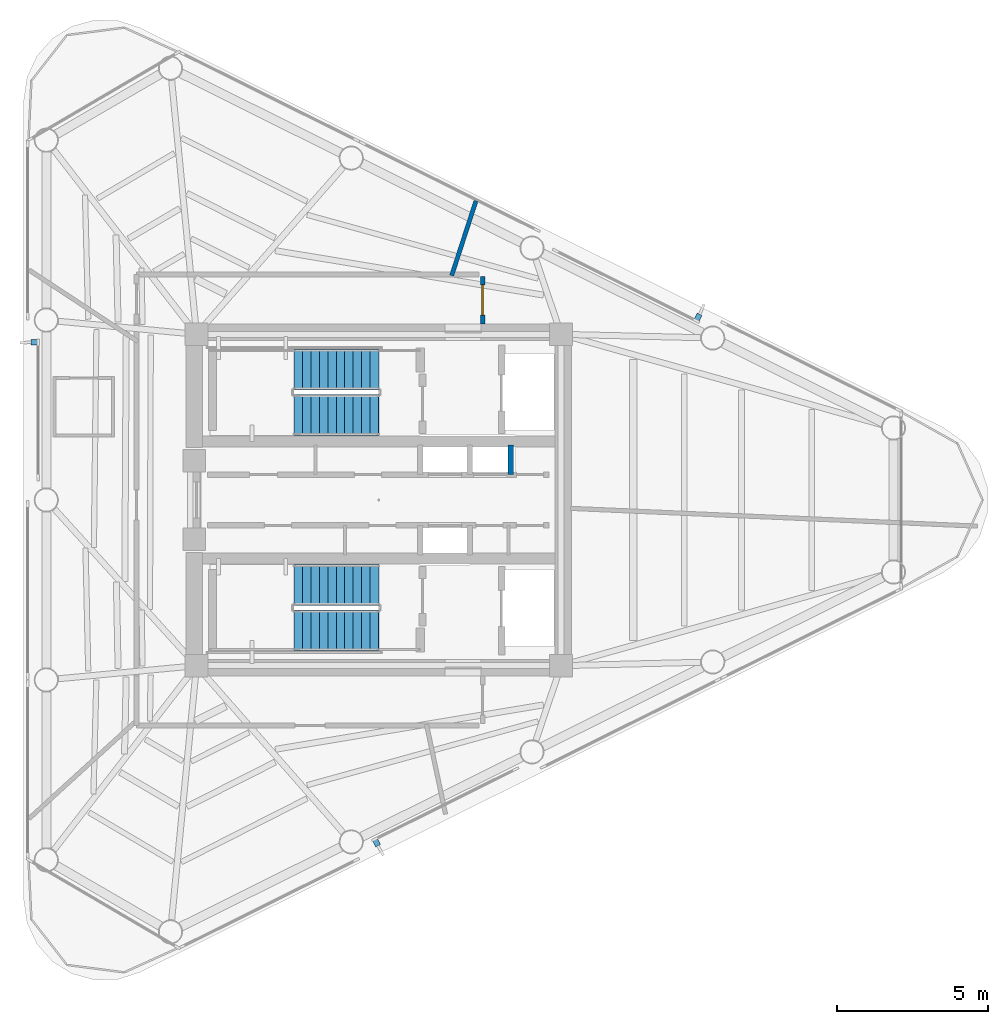
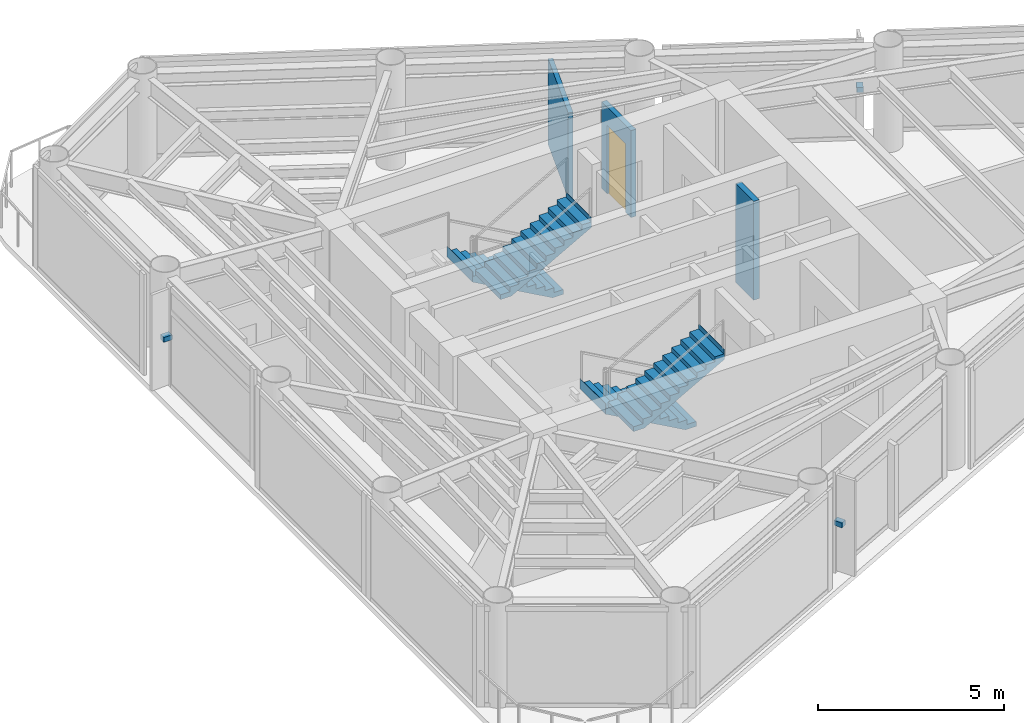
# One storey, part 6 of 10: 4 stair flights, 3 discrete accessories, 3 walls, 1 door, 1 opening, 2 elements without a shape of their own.
"""IFC4 building model written with IfcOpenShell, lengths in metres."""

import ifcopenshell
import ifcopenshell.guid

model = None  # the IFC model being written
_history = None  # IfcOwnerHistory: only IFC2X3 demands one
_inside = {}  # id of a spatial element -> (the spatial element, [elements in it])
_under = {}  # id of a project, library or spatial element -> (it, [spatial elements below it])
_declared = {}  # id of a project -> (the project, [libraries it declares])
_typed = {}  # id of a type object -> (the type object, [elements of that type])
_made_of = {}  # id of a material, layer set ... -> (it, [elements and type objects made of it])


def new_model(schema):
    """Start an empty IFC model of exactly this schema.

    Asked for "IFC4X3", IfcOpenShell would pick the latest addendum, in which some entities
    have other attributes; the version numbers below select the first issue.
    IFC2X3 requires an IfcOwnerHistory on every rooted entity: one is made here for all.
    """
    global model, _history
    if schema == "IFC4X3":
        model = ifcopenshell.file(schema_version=(4, 3, 0, 0))
    else:
        model = ifcopenshell.file(schema=schema)
    _inside.clear()
    _under.clear()
    _declared.clear()
    _typed.clear()
    _made_of.clear()
    _history = None
    if model.schema == "IFC2X3":
        org = make("IfcOrganization", Name="unknown")
        user = make(
            "IfcPersonAndOrganization",
            ThePerson=make("IfcPerson", FamilyName="unknown"),
            TheOrganization=org,
        )
        app = make(
            "IfcApplication",
            ApplicationDeveloper=org,
            Version="unknown",
            ApplicationFullName="unknown",
            ApplicationIdentifier="unknown",
        )
        _history = make(
            "IfcOwnerHistory",
            OwningUser=user,
            OwningApplication=app,
            ChangeAction="ADDED",
            CreationDate=0,
        )
    return model


def make(cls, **values):
    """One entity of the class cls with the attributes given. An attribute that is None is left unset."""
    return model.create_entity(
        cls, **{name: value for name, value in values.items() if value is not None}
    )


def rooted(cls, **values):
    """An entity with a GlobalId (a new one), such as an element, a storey or a relation."""
    return make(cls, GlobalId=ifcopenshell.guid.new(), OwnerHistory=_history, **values)


def si_unit(unit_type, name, prefix=None):
    """IfcSIUnit, for example si_unit("LENGTHUNIT", "METRE", prefix="MILLI")."""
    return make("IfcSIUnit", UnitType=unit_type, Prefix=prefix, Name=name)


def assignment(units):
    """IfcUnitAssignment: the units of a project."""
    return None if units is None else make("IfcUnitAssignment", Units=units)


def point(xyz):
    """IfcCartesianPoint."""
    return None if xyz is None else make("IfcCartesianPoint", Coordinates=xyz)


def direction(xyz):
    """IfcDirection."""
    return None if xyz is None else make("IfcDirection", DirectionRatios=xyz)


def frame(location, z_axis=None, x_axis=None):
    """IfcAxis2Placement3D, a coordinate frame: its origin and axes. An axis left out is left unset."""
    return make(
        "IfcAxis2Placement3D",
        Location=point(location),
        Axis=direction(z_axis),
        RefDirection=direction(x_axis),
    )


def frame_2d(location, x_axis=None):
    """IfcAxis2Placement2D, a coordinate frame in the plane: its origin and x axis."""
    return make(
        "IfcAxis2Placement2D", Location=point(location), RefDirection=direction(x_axis)
    )


def origin():
    """The frame at (0, 0, 0) with its axes left unset."""
    return frame((0.0, 0.0, 0.0))


def origin_2d():
    """The frame at (0, 0) in the plane with its x axis left unset."""
    return frame_2d((0.0, 0.0))


def place(relative_to, where):
    """IfcLocalPlacement: puts the frame where relative to a parent placement (None: the world)."""
    return make(
        "IfcLocalPlacement", PlacementRelTo=relative_to, RelativePlacement=where
    )


def context(
    kind, dimensions, precision=None, world=None, true_north=None, identifier=None
):
    """IfcGeometricRepresentationContext, for example the 3D "Model" context."""
    return make(
        "IfcGeometricRepresentationContext",
        ContextIdentifier=identifier,
        ContextType=kind,
        CoordinateSpaceDimension=dimensions,
        Precision=precision,
        WorldCoordinateSystem=world,
        TrueNorth=true_north,
    )


def subcontext(parent, identifier, kind, view, scale=None):
    """IfcGeometricRepresentationSubContext, for example "Body" below "Model"."""
    return make(
        "IfcGeometricRepresentationSubContext",
        ContextIdentifier=identifier,
        ContextType=kind,
        ParentContext=parent,
        TargetScale=scale,
        TargetView=view,
    )


def project(units=None, contexts=None):
    """IfcProject with its units and contexts."""
    return rooted(
        "IfcProject",
        Name="project",
        RepresentationContexts=contexts,
        UnitsInContext=assignment(units),
    )


def spatial(cls, under=None, at=None, **own):
    """A site, building, storey or space (cls), placed at a placement, below another one or the project."""
    s = rooted(cls, ObjectPlacement=at, **own)
    if under is not None:
        _under.setdefault(under.id(), (under, []))[1].append(s)
    return s


def polyline(points):
    """IfcPolyline through the points."""
    return make("IfcPolyline", Points=[point(p) for p in points])


def profile(cls, at=None, kind="AREA", **sizes):
    """A parametric profile (cls). Its sizes go by their IFC names, for example OverallWidth=200.0."""
    return make(cls, ProfileType=kind, Position=at, **sizes)


def rectangle(**sizes):
    """IfcRectangleProfileDef."""
    return profile("IfcRectangleProfileDef", **sizes)


def outline(outer, holes=None, kind="AREA"):
    """IfcArbitraryClosedProfileDef: a profile drawn as a closed curve; with holes, ...WithVoids."""
    if holes is None:
        return make("IfcArbitraryClosedProfileDef", ProfileType=kind, OuterCurve=outer)
    return make(
        "IfcArbitraryProfileDefWithVoids",
        ProfileType=kind,
        OuterCurve=outer,
        InnerCurves=holes,
    )


def extrude(swept, where, along, depth):
    """IfcExtrudedAreaSolid: the profile swept, set in the frame where, extruded along a direction by depth."""
    return make(
        "IfcExtrudedAreaSolid",
        SweptArea=swept,
        Position=where,
        ExtrudedDirection=direction(along),
        Depth=depth,
    )


def shape(context_of_items, identifier, shape_type, items):
    """IfcShapeRepresentation: the items that make up one representation, for example the "Body"."""
    return make(
        "IfcShapeRepresentation",
        ContextOfItems=context_of_items,
        RepresentationIdentifier=identifier,
        RepresentationType=shape_type,
        Items=items,
    )


def source(mapping_origin, context_of_items, identifier, shape_type, items):
    """IfcRepresentationMap: a shape defined once, which mapped items show again and again."""
    return make(
        "IfcRepresentationMap",
        MappingOrigin=mapping_origin,
        MappedRepresentation=shape(context_of_items, identifier, shape_type, items),
    )


def transform(
    local_origin,
    x_axis=None,
    y_axis=None,
    z_axis=None,
    scale=None,
    scale2=None,
    scale3=None,
    uniform=True,
):
    """IfcCartesianTransformationOperator3D, or its non-uniform kind. x_axis, y_axis, z_axis: its Axis1, 2, 3."""
    if uniform:
        return make(
            "IfcCartesianTransformationOperator3D",
            Axis1=direction(x_axis),
            Axis2=direction(y_axis),
            LocalOrigin=point(local_origin),
            Scale=scale,
            Axis3=direction(z_axis),
        )
    return make(
        "IfcCartesianTransformationOperator3DnonUniform",
        Axis1=direction(x_axis),
        Axis2=direction(y_axis),
        LocalOrigin=point(local_origin),
        Scale=scale,
        Axis3=direction(z_axis),
        Scale2=scale2,
        Scale3=scale3,
    )


def mapped(mapping_source, mapping_target):
    """IfcMappedItem: shows the shape of a source again, moved by a transform."""
    return make(
        "IfcMappedItem", MappingSource=mapping_source, MappingTarget=mapping_target
    )


def material(Name=None, Category=None):
    """IfcMaterial."""
    return make("IfcMaterial", Name=Name, Category=Category)


def layer(
    of_material, thickness, ventilated=None, Name=None, Category=None, Priority=None
):
    """IfcMaterialLayer: one layer of a wall or slab, of a material (None: an air gap)."""
    return make(
        "IfcMaterialLayer",
        Material=of_material,
        LayerThickness=thickness,
        IsVentilated=ventilated,
        Name=Name,
        Category=Category,
        Priority=Priority,
    )


def layer_set(layers, Name=None):
    """IfcMaterialLayerSet."""
    return make("IfcMaterialLayerSet", MaterialLayers=layers, LayerSetName=Name)


def made_of(thing, what):
    """Note that an element or type object is made of a material, layer set ...; save() writes the relation."""
    if what is not None:
        _made_of.setdefault(what.id(), (what, []))[1].append(thing)
    return thing


def type_object(cls, material=None, **own):
    """A type object (cls), such as IfcWallType, which elements share."""
    return made_of(rooted(cls, **own), material)


def element(
    cls,
    number,
    at=None,
    inside=None,
    cuts=None,
    type_object=None,
    material=None,
    context=None,
    identifier="Body",
    shape_type=None,
    held_by="IfcProductDefinitionShape",
    body=None,
    shapes=None,
    **own,
):
    """One element of the class cls, such as IfcWall. Its Tag is "e" and its number.

    at: its placement. inside: the storey or other place that contains it. cuts: it is an
    opening in that element (IfcRelVoidsElement). A single representation is given by context,
    identifier, shape_type and body (its items); several are given by shapes. held_by: the class
    of the entity that holds the representations. save() writes the other relations.
    """
    e = rooted(cls, Tag="e%d" % number, ObjectPlacement=at, **own)
    if body is not None:
        shapes = [shape(context, identifier, shape_type, body)]
    if shapes is not None:
        e.Representation = make(held_by, Representations=shapes)
    if inside is not None:
        _inside.setdefault(inside.id(), (inside, []))[1].append(e)
    if cuts is not None:
        rooted(
            "IfcRelVoidsElement", RelatingBuildingElement=cuts, RelatedOpeningElement=e
        )
    if type_object is not None:
        _typed.setdefault(type_object.id(), (type_object, []))[1].append(e)
    return made_of(e, material)


def fill(opening, filler):
    """IfcRelFillsElement: the door or window that sits in an opening."""
    return rooted(
        "IfcRelFillsElement",
        RelatingOpeningElement=opening,
        RelatedBuildingElement=filler,
    )


def aggregate(whole, parts):
    """IfcRelAggregates: a whole, such as a stair, and the parts it consists of."""
    return rooted("IfcRelAggregates", RelatingObject=whole, RelatedObjects=parts)


def save(model, path):
    """Write the relations noted so far, then the file.

    IfcRelAggregates (storeys below a building ...), IfcRelContainedInSpatialStructure (elements
    in a storey), IfcRelDefinesByType, IfcRelAssociatesMaterial and IfcRelDeclares: one each for
    every whole, place, type object, material and project.
    """
    for whole, parts in _under.values():
        aggregate(whole, parts)
    for where, things in _inside.values():
        rooted(
            "IfcRelContainedInSpatialStructure",
            RelatedElements=things,
            RelatingStructure=where,
        )
    for kind, things in _typed.values():
        rooted("IfcRelDefinesByType", RelatedObjects=things, RelatingType=kind)
    for what, things in _made_of.values():
        rooted("IfcRelAssociatesMaterial", RelatedObjects=things, RelatingMaterial=what)
    for by, libraries in _declared.values():
        rooted("IfcRelDeclares", RelatingContext=by, RelatedDefinitions=libraries)
    model.write(path)


model = new_model("IFC4")

# Units and contexts
model_context = context("Model", 3, precision=1e-05, world=origin(), true_north=direction((0.0, 1.0)))
body_context = subcontext(model_context, "Body", "Model", "MODEL_VIEW")
ifc_project = project(units=[si_unit("LENGTHUNIT", "METRE"), si_unit("AREAUNIT", "SQUARE_METRE"), si_unit("VOLUMEUNIT", "CUBIC_METRE"), si_unit("PLANEANGLEUNIT", "RADIAN"), si_unit("MASSUNIT", "GRAM", prefix="KILO")], contexts=[model_context])

# Site, building, storey
site_placement = place(None, origin())
site = spatial("IfcSite", under=ifc_project, at=site_placement, CompositionType="ELEMENT")
building_placement = place(site_placement, origin())
building = spatial("IfcBuilding", under=site, at=building_placement, Name="Yunling Apex Tower", CompositionType="ELEMENT")
storey_placement = place(building_placement, frame((0.0, 0.0, 293.300048828125)))
storey = spatial("IfcBuildingStorey", under=building, at=storey_placement, Name="L71", CompositionType="ELEMENT", Elevation=293.300048828125)

# Wall, opening, door
ifc_material_1 = material(Name="Gypsum board acoustic partition")
ifc_layer_1 = layer(ifc_material_1, 0.159912109375)
ifc_layer_set_1 = layer_set([ifc_layer_1], Name="Gypsum board acoustic partition")
wall_type_1 = type_object("IfcWallType", Name="WL-PRT-1", PredefinedType="PARTITIONING", material=ifc_layer_set_1)
wall_1_placement = place(storey_placement, frame((3.449951171875, 7.4248046875, 0.0), z_axis=(0.0, 0.0, 1.0), x_axis=(0.0, -1.0, 0.0)))
wall_1 = element("IfcWall", 1, at=wall_1_placement, inside=storey, type_object=wall_type_1, Name="WL-CORR-L71-04", PredefinedType="PARTITIONING", context=body_context, shape_type="SweptSolid", body=[
    extrude(rectangle(XDim=1.57470703125, YDim=0.159912109375, at=frame_2d((0.787353515625, 0.0))), origin(), (0.0, 0.0, 1.0), 2.85498046875),
])
opening_placement = place(wall_1_placement, frame((0.287353515625, 0.0, 0.0)))
opening = element("IfcOpeningElement", 2, at=opening_placement, cuts=wall_1, Name="Opening DR-OFF-1", PredefinedType="OPENING", context=body_context, shape_type="SweptSolid", body=[
    extrude(rectangle(XDim=1.0, YDim=2.25, at=frame_2d((0.5, 1.125))), frame((0.0, 0.08984375, 0.0), z_axis=(0.0, -1.0, 0.0), x_axis=(1.0, 0.0, 0.0)), (0.0, 0.0, 1.0), 0.179931640625),
])
ifc_material_2 = material(Name="Bronze anodised aluminium", Category="aluminium")
door_type = type_object("IfcDoorType", Name="DR-OFF-1", OperationType="NOTDEFINED", PredefinedType="DOOR", material=ifc_material_2)
door_placement = place(opening_placement, origin())
door = element("IfcDoor", 3, at=door_placement, inside=storey, type_object=door_type, Name="L71 Residents Reading Lounge Door", OperationType="SINGLE_SWING_RIGHT", OverallHeight=2.25, OverallWidth=1.0, PredefinedType="DOOR", context=body_context, shape_type="SweptSolid", body=[
    extrude(rectangle(XDim=1.0, YDim=2.25, at=frame_2d((0.5, 1.125))), frame((0.0, 0.02490234375, 0.0), z_axis=(0.0, -1.0, 0.0), x_axis=(1.0, 0.0, 0.0)), (0.0, 0.0, 1.0), 0.050048828125),
])
fill(opening, door)

# Walls
ifc_layer_2 = layer(ifc_material_1, 0.139892578125)
ifc_layer_set_2 = layer_set([ifc_layer_2], Name="Gypsum board acoustic partition")
wall_type_2 = type_object("IfcWallType", Name="WL-PRT-2", PredefinedType="PARTITIONING", material=ifc_layer_set_2)
wall_2_placement = place(storey_placement, frame((2.420654296875, 7.449951171875, 0.0), z_axis=(0.0, 0.0, 1.0), x_axis=(0.309047920595, 0.951046467201, 0.0)))
element("IfcWall", 4, at=wall_2_placement, inside=storey, type_object=wall_type_2, Name="WL-RAD-L71-02", PredefinedType="PARTITIONING", context=body_context, shape_type="SweptSolid", body=[
    extrude(rectangle(XDim=2.6044921875, YDim=0.139892578125, at=frame_2d((1.30224609375, 0.0))), origin(), (0.0, 0.0, 1.0), 2.81494140625),
])
ifc_material_3 = material(Name="Autoclaved aerated concrete masonry", Category="masonry")
ifc_layer_3 = layer(ifc_material_3, 0.179931640625)
ifc_layer_set_3 = layer_set([ifc_layer_3], Name="Autoclaved aerated concrete masonry")
wall_type_3 = type_object("IfcWallType", Name="WL-SHF-2", PredefinedType="PLUMBINGWALL", material=ifc_layer_set_3)
wall_3_placement = place(storey_placement, frame((4.3798828125, 0.840087890625, 0.0), z_axis=(0.0, 0.0, 1.0), x_axis=(0.0, 1.0, 0.0)))
element("IfcWall", 5, at=wall_3_placement, inside=storey, type_object=wall_type_3, Name="WL-END-H3E-L71", PredefinedType="PLUMBINGWALL", context=body_context, shape_type="SweptSolid", body=[
    extrude(rectangle(XDim=0.97998046875, YDim=0.179931640625, at=frame_2d((0.489990234375, 0.0))), origin(), (0.0, 0.0, 1.0), 3.25),
])

# Stair, stair flights
ifc_material_4 = material(Name="Concrete C40", Category="concrete")
stair_type = type_object("IfcStairType", Name="ST-TWR-3", PredefinedType="HALF_TURN_STAIR", material=ifc_material_4)
stair_1_placement = place(storey_placement, origin())
stair_1 = element("IfcStair", 6, at=stair_1_placement, inside=storey, type_object=stair_type, Name="L71 North Core Smokeproof Exit Stair ST-1", PredefinedType="HALF_TURN_STAIR")
stair_flight_type = type_object("IfcStairFlightType", Name="SFL-TWR-3", PredefinedType="STRAIGHT", material=ifc_material_4)
stair_flight_1_placement = place(storey_placement, frame((-0.010009765625, 4.330078125, 0.0), z_axis=(0.0, 0.0, 1.0), x_axis=(-1.0, 0.0, 0.0)))
stair_flight_1 = element("IfcStairFlight", 7, at=stair_flight_1_placement, type_object=stair_flight_type, Name="ST-1 flight 1", NumberOfRisers=11, NumberOfTreads=10, PredefinedType="STRAIGHT", RiserHeight=0.156818182, TreadLength=0.28, context=body_context, shape_type="SweptSolid", body=[
    extrude(outline(polyline([(-0.011962890625, 0.0), (-0.011962890625, 0.15673828125), (0.0, 0.15673828125), (0.280029296875, 0.15673828125), (0.280029296875, 0.313720703125), (0.56005859375, 0.313720703125), (0.56005859375, 0.470458984375), (0.840087890625, 0.470458984375), (0.840087890625, 0.627197265625), (1.1201171875, 0.627197265625), (1.1201171875, 0.7841796875), (1.39990234375, 0.7841796875), (1.39990234375, 0.94091796875), (1.679931640625, 0.94091796875), (1.679931640625, 1.09765625), (1.9599609375, 1.09765625), (1.9599609375, 1.254638671875), (2.239990234375, 1.254638671875), (2.239990234375, 1.411376953125), (2.52001953125, 1.411376953125), (2.52001953125, 1.568115234375), (2.800048828125, 1.568115234375), (2.800048828125, 1.72509765625), (2.81201171875, 1.72509765625), (2.81201171875, 1.385009765625), (0.3271484375, 0.0), (-0.011962890625, 0.0)])), frame((0.0, 0.68017578125, 0.0), z_axis=(0.0, -1.0, 0.0), x_axis=(1.0, 0.0, 0.0)), (0.0, 0.0, 1.0), 1.360107421875),
])
stair_flight_2_placement = place(storey_placement, frame((-2.81005859375, 2.820068359375, 1.724853515625), z_axis=(0.0, 0.0, 1.0), x_axis=(1.0, 0.0, 0.0)))
stair_flight_2 = element("IfcStairFlight", 8, at=stair_flight_2_placement, type_object=stair_flight_type, Name="ST-1 flight 2", NumberOfRisers=11, NumberOfTreads=10, PredefinedType="STRAIGHT", RiserHeight=0.156818182, TreadLength=0.28, context=body_context, shape_type="SweptSolid", body=[
    extrude(outline(polyline([(-0.011962890625, 0.0), (-0.011962890625, 0.15673828125), (0.0, 0.15673828125), (0.280029296875, 0.15673828125), (0.280029296875, 0.313720703125), (0.56005859375, 0.313720703125), (0.56005859375, 0.470458984375), (0.840087890625, 0.470458984375), (0.840087890625, 0.627197265625), (1.1201171875, 0.627197265625), (1.1201171875, 0.7841796875), (1.39990234375, 0.7841796875), (1.39990234375, 0.94091796875), (1.679931640625, 0.94091796875), (1.679931640625, 1.09765625), (1.9599609375, 1.09765625), (1.9599609375, 1.254638671875), (2.239990234375, 1.254638671875), (2.239990234375, 1.411376953125), (2.52001953125, 1.411376953125), (2.52001953125, 1.568115234375), (2.800048828125, 1.568115234375), (2.800048828125, 1.72509765625), (2.81201171875, 1.72509765625), (2.81201171875, 1.385009765625), (0.3271484375, 0.0), (-0.011962890625, 0.0)])), frame((0.0, 0.68017578125, 0.0), z_axis=(0.0, -1.0, 0.0), x_axis=(1.0, 0.0, 0.0)), (0.0, 0.0, 1.0), 1.360107421875),
])
aggregate(stair_1, [stair_flight_1, stair_flight_2])

stair_2_placement = place(storey_placement, origin())
stair_2 = element("IfcStair", 9, at=stair_2_placement, inside=storey, type_object=stair_type, Name="L71 South Core Smokeproof Exit Stair ST-2", PredefinedType="HALF_TURN_STAIR")
stair_flight_3_placement = place(storey_placement, frame((-0.010009765625, -2.820068359375, 0.0), z_axis=(0.0, 0.0, 1.0), x_axis=(-1.0, 0.0, 0.0)))
stair_flight_3 = element("IfcStairFlight", 10, at=stair_flight_3_placement, type_object=stair_flight_type, Name="ST-2 flight 1", NumberOfRisers=11, NumberOfTreads=10, PredefinedType="STRAIGHT", RiserHeight=0.156818182, TreadLength=0.28, context=body_context, shape_type="SweptSolid", body=[
    extrude(outline(polyline([(-0.011962890625, 0.0), (-0.011962890625, 0.15673828125), (0.0, 0.15673828125), (0.280029296875, 0.15673828125), (0.280029296875, 0.313720703125), (0.56005859375, 0.313720703125), (0.56005859375, 0.470458984375), (0.840087890625, 0.470458984375), (0.840087890625, 0.627197265625), (1.1201171875, 0.627197265625), (1.1201171875, 0.7841796875), (1.39990234375, 0.7841796875), (1.39990234375, 0.94091796875), (1.679931640625, 0.94091796875), (1.679931640625, 1.09765625), (1.9599609375, 1.09765625), (1.9599609375, 1.254638671875), (2.239990234375, 1.254638671875), (2.239990234375, 1.411376953125), (2.52001953125, 1.411376953125), (2.52001953125, 1.568115234375), (2.800048828125, 1.568115234375), (2.800048828125, 1.72509765625), (2.81201171875, 1.72509765625), (2.81201171875, 1.385009765625), (0.3271484375, 0.0), (-0.011962890625, 0.0)])), frame((0.0, 0.68017578125, 0.0), z_axis=(0.0, -1.0, 0.0), x_axis=(1.0, 0.0, 0.0)), (0.0, 0.0, 1.0), 1.360107421875),
])
stair_flight_4_placement = place(storey_placement, frame((-2.81005859375, -4.330078125, 1.724853515625), z_axis=(0.0, 0.0, 1.0), x_axis=(1.0, 0.0, 0.0)))
stair_flight_4 = element("IfcStairFlight", 11, at=stair_flight_4_placement, type_object=stair_flight_type, Name="ST-2 flight 2", NumberOfRisers=11, NumberOfTreads=10, PredefinedType="STRAIGHT", RiserHeight=0.156818182, TreadLength=0.28, context=body_context, shape_type="SweptSolid", body=[
    extrude(outline(polyline([(-0.011962890625, 0.0), (-0.011962890625, 0.15673828125), (0.0, 0.15673828125), (0.280029296875, 0.15673828125), (0.280029296875, 0.313720703125), (0.56005859375, 0.313720703125), (0.56005859375, 0.470458984375), (0.840087890625, 0.470458984375), (0.840087890625, 0.627197265625), (1.1201171875, 0.627197265625), (1.1201171875, 0.7841796875), (1.39990234375, 0.7841796875), (1.39990234375, 0.94091796875), (1.679931640625, 0.94091796875), (1.679931640625, 1.09765625), (1.9599609375, 1.09765625), (1.9599609375, 1.254638671875), (2.239990234375, 1.254638671875), (2.239990234375, 1.411376953125), (2.52001953125, 1.411376953125), (2.52001953125, 1.568115234375), (2.800048828125, 1.568115234375), (2.800048828125, 1.72509765625), (2.81201171875, 1.72509765625), (2.81201171875, 1.385009765625), (0.3271484375, 0.0), (-0.011962890625, 0.0)])), frame((0.0, 0.68017578125, 0.0), z_axis=(0.0, -1.0, 0.0), x_axis=(1.0, 0.0, 0.0)), (0.0, 0.0, 1.0), 1.360107421875),
])
aggregate(stair_2, [stair_flight_3, stair_flight_4])

# Discrete accessories
ifc_material_5 = material(Name="Steel Q355B", Category="steel")
discrete_accessory_type = type_object("IfcDiscreteAccessoryType", Name="BK-FIN-1", PredefinedType="BRACKET", material=ifc_material_5)
shared_shape = source(origin(), body_context, "Body", "SweptSolid", [
    extrude(rectangle(XDim=0.179931640625, YDim=0.260009765625, at=origin_2d()), origin(), (0.0, 0.0, 1.0), 0.159912109375),
])
for number, where, z_axis, x_axis, name in (
    (12, (-0.08203125, -11.361083984375, 1.55517578125), (0.0, 0.0, 1.0), (0.895245648325, 0.445572922377, 0.0), "CW-L71-F1-B2-BRK-01-1"),
    (13, (10.59326171875, 6.047607421875, 1.55517578125), (0.0, 0.0, 1.0), (-0.895245648325, 0.445572922377, 0.0), "CW-L71-F2-B2-BRK-01-1"),
    (14, (-11.417236328125, 5.232666015625, 1.55517578125), (0.0, 0.0, 1.0), (0.0, -1.0, 0.0), "CW-L71-F3-B2-BRK-01-1"),
):
    element("IfcDiscreteAccessory", number, at=place(storey_placement, frame(where, z_axis=z_axis, x_axis=x_axis)), inside=storey, type_object=discrete_accessory_type, Name=name, PredefinedType="BRACKET", context=body_context, shape_type="MappedRepresentation", body=[
        mapped(shared_shape, transform((0.0, 0.0, 0.0), scale=1.0)),
    ])

save(model, "model.ifc")
